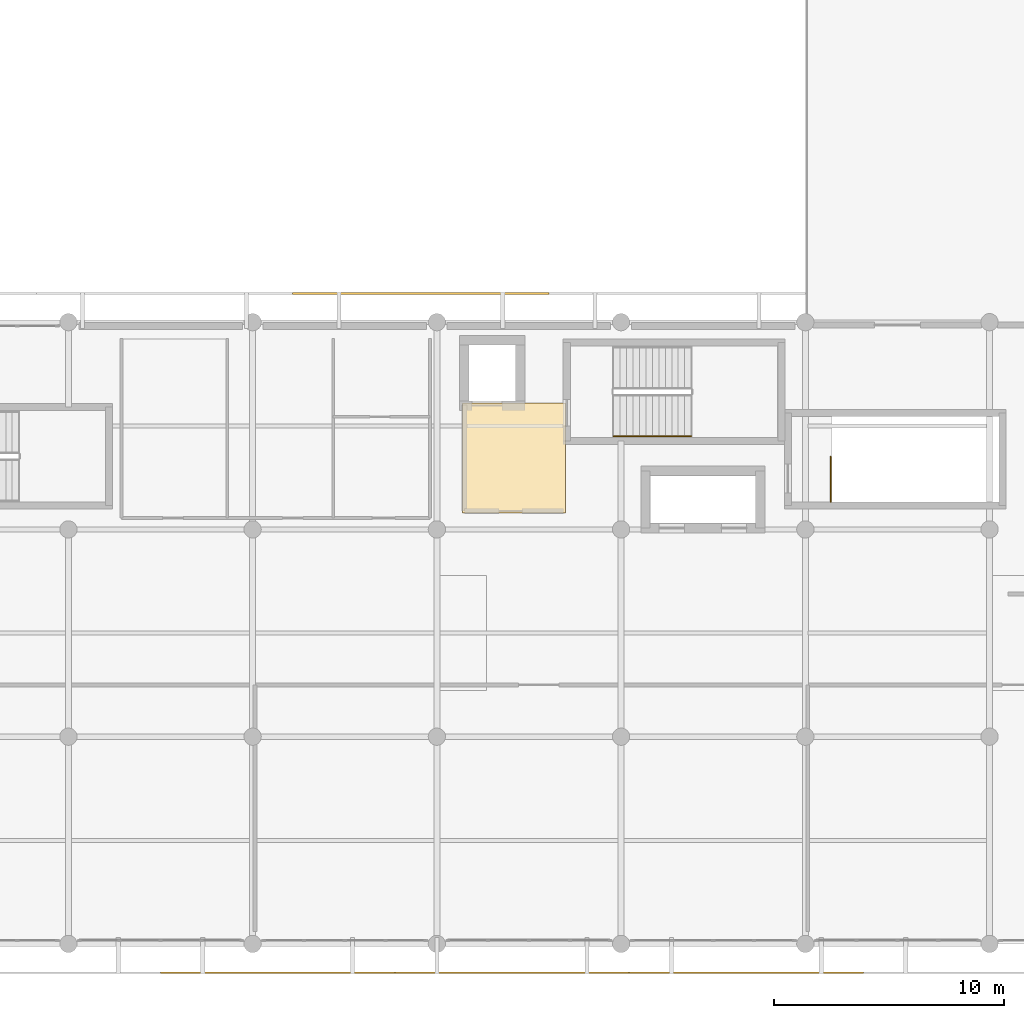
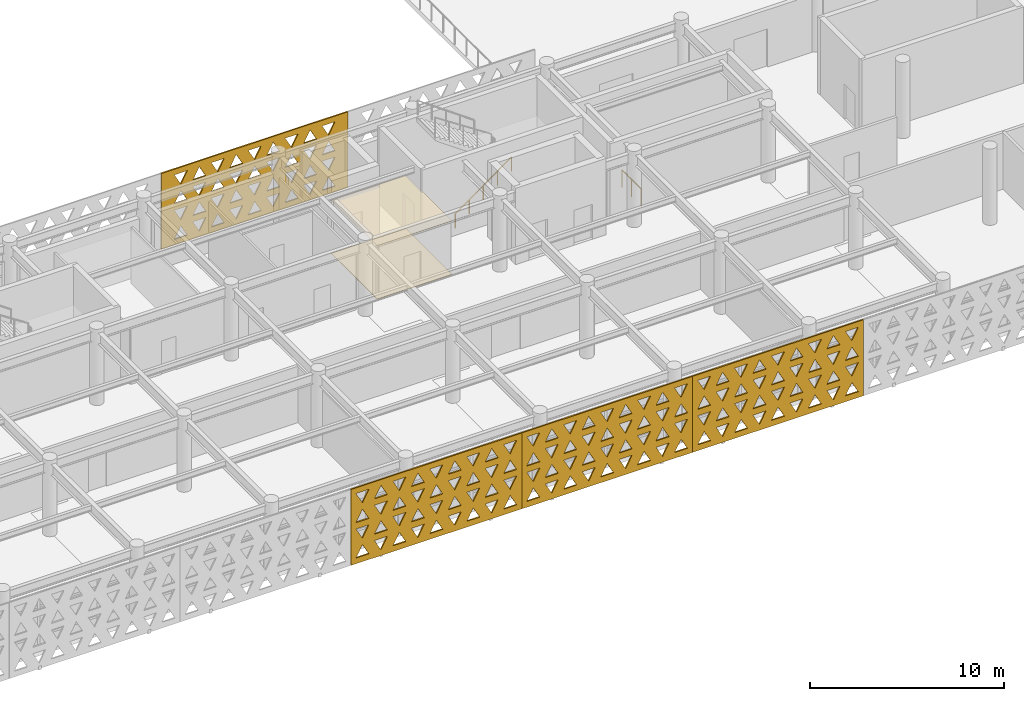
# One storey, part 30 of 33: 6 coverings, 2 railings.
"""IFC4 building model written with IfcOpenShell, lengths in metres."""

from ifc_helpers import new_model, si_unit, direction, frame, origin, origin_2d, place, context, subcontext, project, spatial, polyline, circle, outline, extrude, material, layer, layer_set, type_object, element, save


model = new_model("IFC4")

# Units and contexts
model_context = context("Model", 3, precision=1e-05, world=origin(), true_north=direction((0.0, 1.0)))
body_context = subcontext(model_context, "Body", "Model", "MODEL_VIEW")
ifc_project = project(units=[si_unit("LENGTHUNIT", "METRE"), si_unit("AREAUNIT", "SQUARE_METRE"), si_unit("VOLUMEUNIT", "CUBIC_METRE"), si_unit("PLANEANGLEUNIT", "RADIAN"), si_unit("MASSUNIT", "GRAM", prefix="KILO")], contexts=[model_context])

# Site, building, storey
site_placement = place(None, origin())
site = spatial("IfcSite", under=ifc_project, at=site_placement, CompositionType="ELEMENT")
building_placement = place(site_placement, origin())
building = spatial("IfcBuilding", under=site, at=building_placement, Name="Tlacozan Convention Centre", CompositionType="ELEMENT")
storey_placement = place(building_placement, frame((0.0, 0.0, 16.199951171875)))
storey = spatial("IfcBuildingStorey", under=building, at=storey_placement, Name="L03", CompositionType="ELEMENT", Elevation=16.199951171875)

# Coverings
ifc_material_1 = material(Name="Perforated Acoustic Mineral Fibre Ceiling")
ifc_layer_1 = layer(ifc_material_1, 0.02490234375)
ifc_layer_set_1 = layer_set([ifc_layer_1], Name="Perforated Acoustic Mineral Fibre Ceiling")
covering_type_1 = type_object("IfcCoveringType", Name="Acoustic Mineral Fibre Ceiling 25", PredefinedType="CEILING", material=ifc_layer_set_1)
covering_1_placement = place(storey_placement, frame((0.0, 0.0, 3.35009765625)))
element("IfcCovering", 1, at=covering_1_placement, inside=storey, type_object=covering_type_1, Name="L03 Acoustic Ceiling L03-FFL-2", PredefinedType="CEILING", context=body_context, shape_type="SweptSolid", body=[
    extrude(outline(polyline([(73.1201171875, 18.719970703125), (77.580078125, 18.719970703125), (77.580078125, 23.47998046875), (73.1201171875, 23.47998046875), (73.1201171875, 18.719970703125)])), origin(), (0.0, 0.0, 1.0), 0.02490234375),
])
ifc_material_2 = material(Name="Polished Basalt Terrazzo Flooring", Category="masonry")
ifc_layer_2 = layer(ifc_material_2, 0.02001953125)
ifc_layer_set_2 = layer_set([ifc_layer_2], Name="Polished Basalt Terrazzo Flooring")
covering_type_2 = type_object("IfcCoveringType", Name="Polished Basalt Terrazzo Flooring 20", PredefinedType="FLOORING", material=ifc_layer_set_2)
covering_2_placement = place(storey_placement, origin())
element("IfcCovering", 2, at=covering_2_placement, inside=storey, type_object=covering_type_2, Name="L03 Terrazzo Flooring L03-FFL-2", PredefinedType="FLOORING", context=body_context, shape_type="SweptSolid", body=[
    extrude(outline(polyline([(73.1201171875, 18.719970703125), (77.580078125, 18.719970703125), (77.580078125, 23.47998046875), (73.1201171875, 23.47998046875), (73.1201171875, 18.719970703125)])), origin(), (0.0, 0.0, 1.0), 0.02001953125),
])

# Railings
ifc_material_3 = material(Name="Architectural Painted Galvanised Steel Railing", Category="steel")
railing_type_1 = type_object("IfcRailingType", Name="Stair Wall Handrail 900", PredefinedType="HANDRAIL", material=ifc_material_3)
railing_1_placement = place(storey_placement, frame((79.679931640625, 22.050048828125, 0.1845703125)))
element("IfcRailing", 3, at=railing_1_placement, inside=storey, type_object=railing_type_1, Name="L03 ST-02 stair handrail 1", PredefinedType="HANDRAIL", context=body_context, shape_type="SweptSolid", body=[
    extrude(circle(Radius=0.02392578125, at=origin_2d()), frame((0.0, 0.0, 0.8759765625), z_axis=(0.813725481382, 0.0, 0.581249379312), x_axis=(0.0, 1.0, 0.0)), (0.0, 0.0, 1.0), 4.12939453125),
    extrude(circle(Radius=0.02099609375, at=origin_2d()), origin(), (0.0, 0.0, 1.0), 0.851806640625),
    extrude(circle(Radius=0.02099609375, at=origin_2d()), frame((0.840087890625, 0.0, 0.60009765625)), (0.0, 0.0, 1.0), 0.851806640625),
    extrude(circle(Radius=0.02099609375, at=origin_2d()), frame((1.68017578125, 0.0, 1.2001953125)), (0.0, 0.0, 1.0), 0.851806640625),
    extrude(circle(Radius=0.02099609375, at=origin_2d()), frame((2.52001953125, 0.0, 1.800048828125)), (0.0, 0.0, 1.0), 0.851806640625),
    extrude(circle(Radius=0.02099609375, at=origin_2d()), frame((3.360107421875, 0.0, 2.400146484375)), (0.0, 0.0, 1.0), 0.851806640625),
])
railing_type_2 = type_object("IfcRailingType", Name="Stair Well Guardrail 1100", PredefinedType="GUARDRAIL", material=ifc_material_3)
railing_2_placement = place(storey_placement, frame((89.10009765625, 19.199951171875, 0.0)))
element("IfcRailing", 4, at=railing_2_placement, inside=storey, type_object=railing_type_2, Name="L03 ST-15 top well guard 1", PredefinedType="GUARDRAIL", context=body_context, shape_type="SweptSolid", body=[
    extrude(circle(Radius=0.02392578125, at=origin_2d()), frame((0.0, 0.0, 1.076171875), z_axis=(0.0, 1.0, 0.0), x_axis=(-1.0, 0.0, 0.0)), (0.0, 0.0, 1.0), 1.949951171875),
    extrude(circle(Radius=0.02099609375, at=origin_2d()), origin(), (0.0, 0.0, 1.0), 1.052001953125),
    extrude(circle(Radius=0.02099609375, at=origin_2d()), frame((0.0, 0.97509765625, 0.0)), (0.0, 0.0, 1.0), 1.052001953125),
    extrude(circle(Radius=0.02099609375, at=origin_2d()), frame((0.0, 1.949951171875, 0.0)), (0.0, 0.0, 1.0), 1.052001953125),
])

# Coverings
ifc_material_4 = material(Name="Toluca Fired Terracotta Masonry Solar Screen", Category="masonry")
ifc_layer_3 = layer(ifc_material_4, 0.080078125)
ifc_layer_set_3 = layer_set([ifc_layer_3], Name="Toluca Fired Terracotta Masonry Solar Screen")
covering_type_3 = type_object("IfcCoveringType", Name="Terracotta Triangle Solar Screen 80", PredefinedType="USERDEFINED", material=ifc_layer_set_3)
covering_3_placement = place(storey_placement, frame((60.001953125, -1.25, -0.030029296875), z_axis=(0.0, 0.0, 1.0), x_axis=(1.0, 0.0, 0.0)))
element("IfcCovering", 5, at=covering_3_placement, inside=storey, type_object=covering_type_3, Name="L03 Terracotta Triangle Screen 57", ObjectType="SCREEN", PredefinedType="USERDEFINED", context=body_context, shape_type="SweptSolid", body=[
    extrude(outline(polyline([(0.0, 0.0), (10.171142578125, 0.0), (10.171142578125, 4.780029296875), (0.0, 4.780029296875), (0.0, 0.0)]), holes=[polyline([(0.299560546875, 0.360107421875), (1.071533203125, 0.360107421875), (0.685546875, 1.074951171875), (0.299560546875, 0.360107421875)]), polyline([(1.399658203125, 1.074951171875), (2.171630859375, 1.074951171875), (1.78564453125, 0.360107421875), (1.399658203125, 1.074951171875)]), polyline([(2.49951171875, 0.360107421875), (3.271484375, 0.360107421875), (2.885498046875, 1.074951171875), (2.49951171875, 0.360107421875)]), polyline([(3.599609375, 1.074951171875), (4.37158203125, 1.074951171875), (3.985595703125, 0.360107421875), (3.599609375, 1.074951171875)]), polyline([(4.699462890625, 0.360107421875), (5.4716796875, 0.360107421875), (5.08544921875, 1.074951171875), (4.699462890625, 0.360107421875)]), polyline([(5.799560546875, 1.074951171875), (6.571533203125, 1.074951171875), (6.185546875, 0.360107421875), (5.799560546875, 1.074951171875)]), polyline([(6.899658203125, 0.360107421875), (7.671630859375, 0.360107421875), (7.28564453125, 1.074951171875), (6.899658203125, 0.360107421875)]), polyline([(7.99951171875, 1.074951171875), (8.771484375, 1.074951171875), (8.385498046875, 0.360107421875), (7.99951171875, 1.074951171875)]), polyline([(9.099609375, 0.360107421875), (9.87158203125, 0.360107421875), (9.485595703125, 1.074951171875), (9.099609375, 0.360107421875)]), polyline([(0.299560546875, 2.18994140625), (1.071533203125, 2.18994140625), (0.685546875, 1.47509765625), (0.299560546875, 2.18994140625)]), polyline([(1.399658203125, 1.47509765625), (2.171630859375, 1.47509765625), (1.78564453125, 2.18994140625), (1.399658203125, 1.47509765625)]), polyline([(2.49951171875, 2.18994140625), (3.271484375, 2.18994140625), (2.885498046875, 1.47509765625), (2.49951171875, 2.18994140625)]), polyline([(3.599609375, 1.47509765625), (4.37158203125, 1.47509765625), (3.985595703125, 2.18994140625), (3.599609375, 1.47509765625)]), polyline([(4.699462890625, 2.18994140625), (5.4716796875, 2.18994140625), (5.08544921875, 1.47509765625), (4.699462890625, 2.18994140625)]), polyline([(5.799560546875, 1.47509765625), (6.571533203125, 1.47509765625), (6.185546875, 2.18994140625), (5.799560546875, 1.47509765625)]), polyline([(6.899658203125, 2.18994140625), (7.671630859375, 2.18994140625), (7.28564453125, 1.47509765625), (6.899658203125, 2.18994140625)]), polyline([(7.99951171875, 1.47509765625), (8.771484375, 1.47509765625), (8.385498046875, 2.18994140625), (7.99951171875, 1.47509765625)]), polyline([(9.099609375, 2.18994140625), (9.87158203125, 2.18994140625), (9.485595703125, 1.47509765625), (9.099609375, 2.18994140625)]), polyline([(0.299560546875, 2.590087890625), (1.071533203125, 2.590087890625), (0.685546875, 3.304931640625), (0.299560546875, 2.590087890625)]), polyline([(1.399658203125, 3.304931640625), (2.171630859375, 3.304931640625), (1.78564453125, 2.590087890625), (1.399658203125, 3.304931640625)]), polyline([(2.49951171875, 2.590087890625), (3.271484375, 2.590087890625), (2.885498046875, 3.304931640625), (2.49951171875, 2.590087890625)]), polyline([(3.599609375, 3.304931640625), (4.37158203125, 3.304931640625), (3.985595703125, 2.590087890625), (3.599609375, 3.304931640625)]), polyline([(4.699462890625, 2.590087890625), (5.4716796875, 2.590087890625), (5.08544921875, 3.304931640625), (4.699462890625, 2.590087890625)]), polyline([(5.799560546875, 3.304931640625), (6.571533203125, 3.304931640625), (6.185546875, 2.590087890625), (5.799560546875, 3.304931640625)]), polyline([(6.899658203125, 2.590087890625), (7.671630859375, 2.590087890625), (7.28564453125, 3.304931640625), (6.899658203125, 2.590087890625)]), polyline([(7.99951171875, 3.304931640625), (8.771484375, 3.304931640625), (8.385498046875, 2.590087890625), (7.99951171875, 3.304931640625)]), polyline([(9.099609375, 2.590087890625), (9.87158203125, 2.590087890625), (9.485595703125, 3.304931640625), (9.099609375, 2.590087890625)]), polyline([(0.299560546875, 4.419921875), (1.071533203125, 4.419921875), (0.685546875, 3.705078125), (0.299560546875, 4.419921875)]), polyline([(1.399658203125, 3.705078125), (2.171630859375, 3.705078125), (1.78564453125, 4.419921875), (1.399658203125, 3.705078125)]), polyline([(2.49951171875, 4.419921875), (3.271484375, 4.419921875), (2.885498046875, 3.705078125), (2.49951171875, 4.419921875)]), polyline([(3.599609375, 3.705078125), (4.37158203125, 3.705078125), (3.985595703125, 4.419921875), (3.599609375, 3.705078125)]), polyline([(4.699462890625, 4.419921875), (5.4716796875, 4.419921875), (5.08544921875, 3.705078125), (4.699462890625, 4.419921875)]), polyline([(5.799560546875, 3.705078125), (6.571533203125, 3.705078125), (6.185546875, 4.419921875), (5.799560546875, 3.705078125)]), polyline([(6.899658203125, 4.419921875), (7.671630859375, 4.419921875), (7.28564453125, 3.705078125), (6.899658203125, 4.419921875)]), polyline([(7.99951171875, 3.705078125), (8.771484375, 3.705078125), (8.385498046875, 4.419921875), (7.99951171875, 3.705078125)]), polyline([(9.099609375, 4.419921875), (9.87158203125, 4.419921875), (9.485595703125, 3.705078125), (9.099609375, 4.419921875)])]), frame((0.0, 0.0400390625, 0.0), z_axis=(0.0, -1.0, 0.0), x_axis=(1.0, 0.0, 0.0)), (0.0, 0.0, 1.0), 0.080078125),
])
covering_4_placement = place(storey_placement, frame((70.177001953125, -1.25, -0.030029296875), z_axis=(0.0, 0.0, 1.0), x_axis=(1.0, 0.0, 0.0)))
element("IfcCovering", 6, at=covering_4_placement, inside=storey, type_object=covering_type_3, Name="L03 Terracotta Triangle Screen 58", ObjectType="SCREEN", PredefinedType="USERDEFINED", context=body_context, shape_type="SweptSolid", body=[
    extrude(outline(polyline([(0.0, 0.0), (10.1708984375, 0.0), (10.1708984375, 4.780029296875), (0.0, 4.780029296875), (0.0, 0.0)]), holes=[polyline([(0.29931640625, 0.360107421875), (1.071533203125, 0.360107421875), (0.685546875, 1.074951171875), (0.29931640625, 0.360107421875)]), polyline([(1.3994140625, 1.074951171875), (2.17138671875, 1.074951171875), (1.785400390625, 0.360107421875), (1.3994140625, 1.074951171875)]), polyline([(2.49951171875, 0.360107421875), (3.271484375, 0.360107421875), (2.885498046875, 1.074951171875), (2.49951171875, 0.360107421875)]), polyline([(3.599365234375, 1.074951171875), (4.37158203125, 1.074951171875), (3.9853515625, 0.360107421875), (3.599365234375, 1.074951171875)]), polyline([(4.699462890625, 0.360107421875), (5.471435546875, 0.360107421875), (5.08544921875, 1.074951171875), (4.699462890625, 0.360107421875)]), polyline([(5.79931640625, 1.074951171875), (6.571533203125, 1.074951171875), (6.185546875, 0.360107421875), (5.79931640625, 1.074951171875)]), polyline([(6.8994140625, 0.360107421875), (7.67138671875, 0.360107421875), (7.285400390625, 1.074951171875), (6.8994140625, 0.360107421875)]), polyline([(7.99951171875, 1.074951171875), (8.771484375, 1.074951171875), (8.385498046875, 0.360107421875), (7.99951171875, 1.074951171875)]), polyline([(9.099365234375, 0.360107421875), (9.87158203125, 0.360107421875), (9.4853515625, 1.074951171875), (9.099365234375, 0.360107421875)]), polyline([(0.29931640625, 2.18994140625), (1.071533203125, 2.18994140625), (0.685546875, 1.47509765625), (0.29931640625, 2.18994140625)]), polyline([(1.3994140625, 1.47509765625), (2.17138671875, 1.47509765625), (1.785400390625, 2.18994140625), (1.3994140625, 1.47509765625)]), polyline([(2.49951171875, 2.18994140625), (3.271484375, 2.18994140625), (2.885498046875, 1.47509765625), (2.49951171875, 2.18994140625)]), polyline([(3.599365234375, 1.47509765625), (4.37158203125, 1.47509765625), (3.9853515625, 2.18994140625), (3.599365234375, 1.47509765625)]), polyline([(4.699462890625, 2.18994140625), (5.471435546875, 2.18994140625), (5.08544921875, 1.47509765625), (4.699462890625, 2.18994140625)]), polyline([(5.79931640625, 1.47509765625), (6.571533203125, 1.47509765625), (6.185546875, 2.18994140625), (5.79931640625, 1.47509765625)]), polyline([(6.8994140625, 2.18994140625), (7.67138671875, 2.18994140625), (7.285400390625, 1.47509765625), (6.8994140625, 2.18994140625)]), polyline([(7.99951171875, 1.47509765625), (8.771484375, 1.47509765625), (8.385498046875, 2.18994140625), (7.99951171875, 1.47509765625)]), polyline([(9.099365234375, 2.18994140625), (9.87158203125, 2.18994140625), (9.4853515625, 1.47509765625), (9.099365234375, 2.18994140625)]), polyline([(0.29931640625, 2.590087890625), (1.071533203125, 2.590087890625), (0.685546875, 3.304931640625), (0.29931640625, 2.590087890625)]), polyline([(1.3994140625, 3.304931640625), (2.17138671875, 3.304931640625), (1.785400390625, 2.590087890625), (1.3994140625, 3.304931640625)]), polyline([(2.49951171875, 2.590087890625), (3.271484375, 2.590087890625), (2.885498046875, 3.304931640625), (2.49951171875, 2.590087890625)]), polyline([(3.599365234375, 3.304931640625), (4.37158203125, 3.304931640625), (3.9853515625, 2.590087890625), (3.599365234375, 3.304931640625)]), polyline([(4.699462890625, 2.590087890625), (5.471435546875, 2.590087890625), (5.08544921875, 3.304931640625), (4.699462890625, 2.590087890625)]), polyline([(5.79931640625, 3.304931640625), (6.571533203125, 3.304931640625), (6.185546875, 2.590087890625), (5.79931640625, 3.304931640625)]), polyline([(6.8994140625, 2.590087890625), (7.67138671875, 2.590087890625), (7.285400390625, 3.304931640625), (6.8994140625, 2.590087890625)]), polyline([(7.99951171875, 3.304931640625), (8.771484375, 3.304931640625), (8.385498046875, 2.590087890625), (7.99951171875, 3.304931640625)]), polyline([(9.099365234375, 2.590087890625), (9.87158203125, 2.590087890625), (9.4853515625, 3.304931640625), (9.099365234375, 2.590087890625)]), polyline([(0.29931640625, 4.419921875), (1.071533203125, 4.419921875), (0.685546875, 3.705078125), (0.29931640625, 4.419921875)]), polyline([(1.3994140625, 3.705078125), (2.17138671875, 3.705078125), (1.785400390625, 4.419921875), (1.3994140625, 3.705078125)]), polyline([(2.49951171875, 4.419921875), (3.271484375, 4.419921875), (2.885498046875, 3.705078125), (2.49951171875, 4.419921875)]), polyline([(3.599365234375, 3.705078125), (4.37158203125, 3.705078125), (3.9853515625, 4.419921875), (3.599365234375, 3.705078125)]), polyline([(4.699462890625, 4.419921875), (5.471435546875, 4.419921875), (5.08544921875, 3.705078125), (4.699462890625, 4.419921875)]), polyline([(5.79931640625, 3.705078125), (6.571533203125, 3.705078125), (6.185546875, 4.419921875), (5.79931640625, 3.705078125)]), polyline([(6.8994140625, 4.419921875), (7.67138671875, 4.419921875), (7.285400390625, 3.705078125), (6.8994140625, 4.419921875)]), polyline([(7.99951171875, 3.705078125), (8.771484375, 3.705078125), (8.385498046875, 4.419921875), (7.99951171875, 3.705078125)]), polyline([(9.099365234375, 4.419921875), (9.87158203125, 4.419921875), (9.4853515625, 3.705078125), (9.099365234375, 4.419921875)])]), frame((0.0, 0.0400390625, 0.0), z_axis=(0.0, -1.0, 0.0), x_axis=(1.0, 0.0, 0.0)), (0.0, 0.0, 1.0), 0.080078125),
])
covering_5_placement = place(storey_placement, frame((80.35205078125, -1.25, -0.030029296875), z_axis=(0.0, 0.0, 1.0), x_axis=(1.0, 0.0, 0.0)))
element("IfcCovering", 7, at=covering_5_placement, inside=storey, type_object=covering_type_3, Name="L03 Terracotta Triangle Screen 59", ObjectType="SCREEN", PredefinedType="USERDEFINED", context=body_context, shape_type="SweptSolid", body=[
    extrude(outline(polyline([(0.0, 0.0), (10.1708984375, 0.0), (10.1708984375, 4.780029296875), (0.0, 4.780029296875), (0.0, 0.0)]), holes=[polyline([(0.29931640625, 0.360107421875), (1.071533203125, 0.360107421875), (0.685546875, 1.074951171875), (0.29931640625, 0.360107421875)]), polyline([(1.3994140625, 1.074951171875), (2.17138671875, 1.074951171875), (1.785400390625, 0.360107421875), (1.3994140625, 1.074951171875)]), polyline([(2.49951171875, 0.360107421875), (3.271484375, 0.360107421875), (2.885498046875, 1.074951171875), (2.49951171875, 0.360107421875)]), polyline([(3.599365234375, 1.074951171875), (4.37158203125, 1.074951171875), (3.9853515625, 0.360107421875), (3.599365234375, 1.074951171875)]), polyline([(4.699462890625, 0.360107421875), (5.471435546875, 0.360107421875), (5.08544921875, 1.074951171875), (4.699462890625, 0.360107421875)]), polyline([(5.79931640625, 1.074951171875), (6.571533203125, 1.074951171875), (6.185546875, 0.360107421875), (5.79931640625, 1.074951171875)]), polyline([(6.8994140625, 0.360107421875), (7.67138671875, 0.360107421875), (7.285400390625, 1.074951171875), (6.8994140625, 0.360107421875)]), polyline([(7.99951171875, 1.074951171875), (8.771484375, 1.074951171875), (8.385498046875, 0.360107421875), (7.99951171875, 1.074951171875)]), polyline([(9.099365234375, 0.360107421875), (9.87158203125, 0.360107421875), (9.4853515625, 1.074951171875), (9.099365234375, 0.360107421875)]), polyline([(0.29931640625, 2.18994140625), (1.071533203125, 2.18994140625), (0.685546875, 1.47509765625), (0.29931640625, 2.18994140625)]), polyline([(1.3994140625, 1.47509765625), (2.17138671875, 1.47509765625), (1.785400390625, 2.18994140625), (1.3994140625, 1.47509765625)]), polyline([(2.49951171875, 2.18994140625), (3.271484375, 2.18994140625), (2.885498046875, 1.47509765625), (2.49951171875, 2.18994140625)]), polyline([(3.599365234375, 1.47509765625), (4.37158203125, 1.47509765625), (3.9853515625, 2.18994140625), (3.599365234375, 1.47509765625)]), polyline([(4.699462890625, 2.18994140625), (5.471435546875, 2.18994140625), (5.08544921875, 1.47509765625), (4.699462890625, 2.18994140625)]), polyline([(5.79931640625, 1.47509765625), (6.571533203125, 1.47509765625), (6.185546875, 2.18994140625), (5.79931640625, 1.47509765625)]), polyline([(6.8994140625, 2.18994140625), (7.67138671875, 2.18994140625), (7.285400390625, 1.47509765625), (6.8994140625, 2.18994140625)]), polyline([(7.99951171875, 1.47509765625), (8.771484375, 1.47509765625), (8.385498046875, 2.18994140625), (7.99951171875, 1.47509765625)]), polyline([(9.099365234375, 2.18994140625), (9.87158203125, 2.18994140625), (9.4853515625, 1.47509765625), (9.099365234375, 2.18994140625)]), polyline([(0.29931640625, 2.590087890625), (1.071533203125, 2.590087890625), (0.685546875, 3.304931640625), (0.29931640625, 2.590087890625)]), polyline([(1.3994140625, 3.304931640625), (2.17138671875, 3.304931640625), (1.785400390625, 2.590087890625), (1.3994140625, 3.304931640625)]), polyline([(2.49951171875, 2.590087890625), (3.271484375, 2.590087890625), (2.885498046875, 3.304931640625), (2.49951171875, 2.590087890625)]), polyline([(3.599365234375, 3.304931640625), (4.37158203125, 3.304931640625), (3.9853515625, 2.590087890625), (3.599365234375, 3.304931640625)]), polyline([(4.699462890625, 2.590087890625), (5.471435546875, 2.590087890625), (5.08544921875, 3.304931640625), (4.699462890625, 2.590087890625)]), polyline([(5.79931640625, 3.304931640625), (6.571533203125, 3.304931640625), (6.185546875, 2.590087890625), (5.79931640625, 3.304931640625)]), polyline([(6.8994140625, 2.590087890625), (7.67138671875, 2.590087890625), (7.285400390625, 3.304931640625), (6.8994140625, 2.590087890625)]), polyline([(7.99951171875, 3.304931640625), (8.771484375, 3.304931640625), (8.385498046875, 2.590087890625), (7.99951171875, 3.304931640625)]), polyline([(9.099365234375, 2.590087890625), (9.87158203125, 2.590087890625), (9.4853515625, 3.304931640625), (9.099365234375, 2.590087890625)]), polyline([(0.29931640625, 4.419921875), (1.071533203125, 4.419921875), (0.685546875, 3.705078125), (0.29931640625, 4.419921875)]), polyline([(1.3994140625, 3.705078125), (2.17138671875, 3.705078125), (1.785400390625, 4.419921875), (1.3994140625, 3.705078125)]), polyline([(2.49951171875, 4.419921875), (3.271484375, 4.419921875), (2.885498046875, 3.705078125), (2.49951171875, 4.419921875)]), polyline([(3.599365234375, 3.705078125), (4.37158203125, 3.705078125), (3.9853515625, 4.419921875), (3.599365234375, 3.705078125)]), polyline([(4.699462890625, 4.419921875), (5.471435546875, 4.419921875), (5.08544921875, 3.705078125), (4.699462890625, 4.419921875)]), polyline([(5.79931640625, 3.705078125), (6.571533203125, 3.705078125), (6.185546875, 4.419921875), (5.79931640625, 3.705078125)]), polyline([(6.8994140625, 4.419921875), (7.67138671875, 4.419921875), (7.285400390625, 3.705078125), (6.8994140625, 4.419921875)]), polyline([(7.99951171875, 3.705078125), (8.771484375, 3.705078125), (8.385498046875, 4.419921875), (7.99951171875, 3.705078125)]), polyline([(9.099365234375, 4.419921875), (9.87158203125, 4.419921875), (9.4853515625, 3.705078125), (9.099365234375, 4.419921875)])]), frame((0.0, 0.0400390625, 0.0), z_axis=(0.0, -1.0, 0.0), x_axis=(1.0, 0.0, 0.0)), (0.0, 0.0, 1.0), 0.080078125),
])
covering_6_placement = place(storey_placement, frame((65.739501953125, 28.25, -0.030029296875), z_axis=(0.0, 0.0, 1.0), x_axis=(1.0, 0.0, 0.0)))
element("IfcCovering", 8, at=covering_6_placement, inside=storey, type_object=covering_type_3, Name="L03 Terracotta Triangle Screen 75", ObjectType="SCREEN", PredefinedType="USERDEFINED", context=body_context, shape_type="SweptSolid", body=[
    extrude(outline(polyline([(0.0, 0.0), (11.127197265625, 0.0), (11.127197265625, 4.780029296875), (0.0, 4.780029296875), (0.0, 0.0)]), holes=[polyline([(0.777587890625, 0.360107421875), (1.549560546875, 0.360107421875), (1.16357421875, 1.074951171875), (0.777587890625, 0.360107421875)]), polyline([(1.877685546875, 1.074951171875), (2.649658203125, 1.074951171875), (2.263671875, 0.360107421875), (1.877685546875, 1.074951171875)]), polyline([(2.9775390625, 0.360107421875), (3.74951171875, 0.360107421875), (3.363525390625, 1.074951171875), (2.9775390625, 0.360107421875)]), polyline([(4.07763671875, 1.074951171875), (4.849609375, 1.074951171875), (4.463623046875, 0.360107421875), (4.07763671875, 1.074951171875)]), polyline([(5.177490234375, 0.360107421875), (5.94970703125, 0.360107421875), (5.5634765625, 1.074951171875), (5.177490234375, 0.360107421875)]), polyline([(6.277587890625, 1.074951171875), (7.049560546875, 1.074951171875), (6.66357421875, 0.360107421875), (6.277587890625, 1.074951171875)]), polyline([(7.377685546875, 0.360107421875), (8.149658203125, 0.360107421875), (7.763671875, 1.074951171875), (7.377685546875, 0.360107421875)]), polyline([(8.4775390625, 1.074951171875), (9.24951171875, 1.074951171875), (8.863525390625, 0.360107421875), (8.4775390625, 1.074951171875)]), polyline([(9.57763671875, 0.360107421875), (10.349609375, 0.360107421875), (9.963623046875, 1.074951171875), (9.57763671875, 0.360107421875)]), polyline([(0.777587890625, 2.18994140625), (1.549560546875, 2.18994140625), (1.16357421875, 1.47509765625), (0.777587890625, 2.18994140625)]), polyline([(1.877685546875, 1.47509765625), (2.649658203125, 1.47509765625), (2.263671875, 2.18994140625), (1.877685546875, 1.47509765625)]), polyline([(2.9775390625, 2.18994140625), (3.74951171875, 2.18994140625), (3.363525390625, 1.47509765625), (2.9775390625, 2.18994140625)]), polyline([(4.07763671875, 1.47509765625), (4.849609375, 1.47509765625), (4.463623046875, 2.18994140625), (4.07763671875, 1.47509765625)]), polyline([(5.177490234375, 2.18994140625), (5.94970703125, 2.18994140625), (5.5634765625, 1.47509765625), (5.177490234375, 2.18994140625)]), polyline([(6.277587890625, 1.47509765625), (7.049560546875, 1.47509765625), (6.66357421875, 2.18994140625), (6.277587890625, 1.47509765625)]), polyline([(7.377685546875, 2.18994140625), (8.149658203125, 2.18994140625), (7.763671875, 1.47509765625), (7.377685546875, 2.18994140625)]), polyline([(8.4775390625, 1.47509765625), (9.24951171875, 1.47509765625), (8.863525390625, 2.18994140625), (8.4775390625, 1.47509765625)]), polyline([(9.57763671875, 2.18994140625), (10.349609375, 2.18994140625), (9.963623046875, 1.47509765625), (9.57763671875, 2.18994140625)]), polyline([(0.777587890625, 2.590087890625), (1.549560546875, 2.590087890625), (1.16357421875, 3.304931640625), (0.777587890625, 2.590087890625)]), polyline([(1.877685546875, 3.304931640625), (2.649658203125, 3.304931640625), (2.263671875, 2.590087890625), (1.877685546875, 3.304931640625)]), polyline([(2.9775390625, 2.590087890625), (3.74951171875, 2.590087890625), (3.363525390625, 3.304931640625), (2.9775390625, 2.590087890625)]), polyline([(4.07763671875, 3.304931640625), (4.849609375, 3.304931640625), (4.463623046875, 2.590087890625), (4.07763671875, 3.304931640625)]), polyline([(5.177490234375, 2.590087890625), (5.94970703125, 2.590087890625), (5.5634765625, 3.304931640625), (5.177490234375, 2.590087890625)]), polyline([(6.277587890625, 3.304931640625), (7.049560546875, 3.304931640625), (6.66357421875, 2.590087890625), (6.277587890625, 3.304931640625)]), polyline([(7.377685546875, 2.590087890625), (8.149658203125, 2.590087890625), (7.763671875, 3.304931640625), (7.377685546875, 2.590087890625)]), polyline([(8.4775390625, 3.304931640625), (9.24951171875, 3.304931640625), (8.863525390625, 2.590087890625), (8.4775390625, 3.304931640625)]), polyline([(9.57763671875, 2.590087890625), (10.349609375, 2.590087890625), (9.963623046875, 3.304931640625), (9.57763671875, 2.590087890625)]), polyline([(0.777587890625, 4.419921875), (1.549560546875, 4.419921875), (1.16357421875, 3.705078125), (0.777587890625, 4.419921875)]), polyline([(1.877685546875, 3.705078125), (2.649658203125, 3.705078125), (2.263671875, 4.419921875), (1.877685546875, 3.705078125)]), polyline([(2.9775390625, 4.419921875), (3.74951171875, 4.419921875), (3.363525390625, 3.705078125), (2.9775390625, 4.419921875)]), polyline([(4.07763671875, 3.705078125), (4.849609375, 3.705078125), (4.463623046875, 4.419921875), (4.07763671875, 3.705078125)]), polyline([(5.177490234375, 4.419921875), (5.94970703125, 4.419921875), (5.5634765625, 3.705078125), (5.177490234375, 4.419921875)]), polyline([(6.277587890625, 3.705078125), (7.049560546875, 3.705078125), (6.66357421875, 4.419921875), (6.277587890625, 3.705078125)]), polyline([(7.377685546875, 4.419921875), (8.149658203125, 4.419921875), (7.763671875, 3.705078125), (7.377685546875, 4.419921875)]), polyline([(8.4775390625, 3.705078125), (9.24951171875, 3.705078125), (8.863525390625, 4.419921875), (8.4775390625, 3.705078125)]), polyline([(9.57763671875, 4.419921875), (10.349609375, 4.419921875), (9.963623046875, 3.705078125), (9.57763671875, 4.419921875)])]), frame((0.0, 0.0400390625, 0.0), z_axis=(0.0, -1.0, 0.0), x_axis=(1.0, 0.0, 0.0)), (0.0, 0.0, 1.0), 0.080078125),
])

save(model, "model.ifc")
